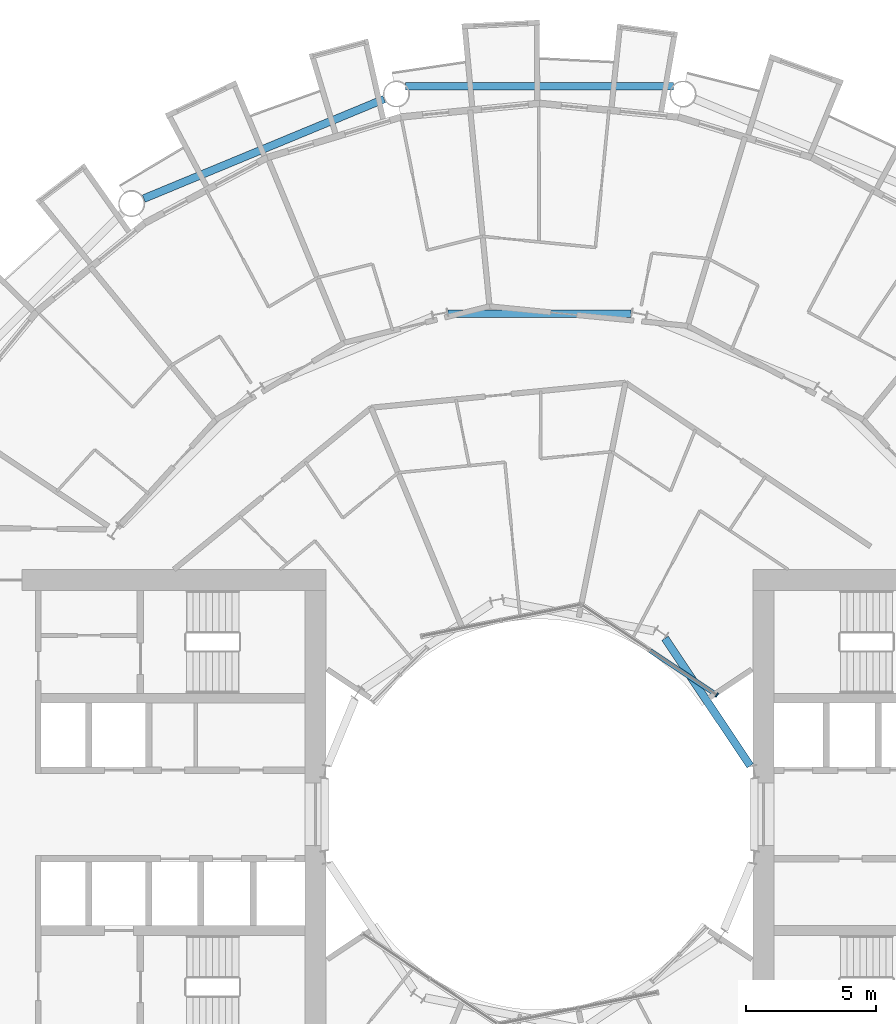
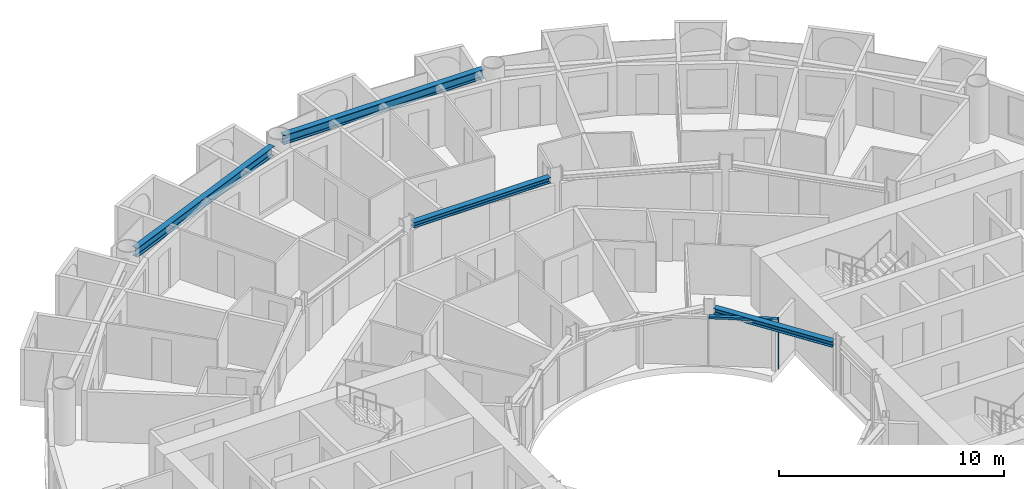
# One storey, part 8 of 26: 4 beams, 2 members, 1 element without a shape of its own.
"""IFC4 building model written with IfcOpenShell, lengths in metres."""

from ifc_helpers import new_model, si_unit, direction, frame, origin, origin_2d, place, context, subcontext, project, spatial, rectangle, i_section, extrude, material, layer, layer_set, material_profile, profile_set, type_object, element, aggregate, save


model = new_model("IFC4")

# Units and contexts
model_context = context("Model", 3, precision=1e-05, world=origin(), true_north=direction((0.0, 1.0)))
body_context = subcontext(model_context, "Body", "Model", "MODEL_VIEW")
ifc_project = project(units=[si_unit("LENGTHUNIT", "METRE"), si_unit("AREAUNIT", "SQUARE_METRE"), si_unit("VOLUMEUNIT", "CUBIC_METRE"), si_unit("PLANEANGLEUNIT", "RADIAN"), si_unit("MASSUNIT", "GRAM", prefix="KILO")], contexts=[model_context])

# Site, building, storey
site_placement = place(None, origin())
site = spatial("IfcSite", under=ifc_project, at=site_placement, CompositionType="ELEMENT")
building_placement = place(site_placement, origin())
building = spatial("IfcBuilding", under=site, at=building_placement, Name="Maasbend Ring Residences", CompositionType="ELEMENT")
storey_placement = place(building_placement, frame((0.0, 0.0, 22.800048828125)))
storey = spatial("IfcBuildingStorey", under=building, at=storey_placement, Name="L05", CompositionType="ELEMENT", Elevation=22.800048828125)

# Curtain wall, members
ifc_material_1 = material(Name="Aluminium and clear glass", Category="aluminium")
ifc_layer = layer(ifc_material_1, 0.179931640625)
ifc_layer_set = layer_set([ifc_layer], Name="CW-W")
curtain_wall_type = type_object("IfcCurtainWallType", Name="CW-W", PredefinedType="NOTDEFINED", material=ifc_layer_set)
curtain_wall_placement = place(storey_placement, origin())
curtain_wall = element("IfcCurtainWall", 1, at=curtain_wall_placement, inside=storey, type_object=curtain_wall_type, Name="Well curtain wall N1", PredefinedType="NOTDEFINED")
ifc_material_2 = material(Name="Aluminium 6063-T6", Category="aluminium")
ifc_material_profile_1 = material_profile(ifc_material_2, rectangle(XDim=0.179931640625, YDim=0.06005859375, at=origin_2d()), Name="AL 180x60")
ifc_profile_set_1 = profile_set([ifc_material_profile_1], Name="Aluminium 6063-T6")
member_type_1 = type_object("IfcMemberType", Name="CWM-W", PredefinedType="MULLION", material=ifc_profile_set_1)
member_1_placement = place(storey_placement, frame((6.805908203125, 4.580810546875, 0.0), z_axis=(0.0, 0.0, 1.0), x_axis=(-0.55557023302, -0.831469612303, 0.0)))
member_1 = element("IfcMember", 2, at=member_1_placement, type_object=member_type_1, Name="Mullion well face", PredefinedType="MULLION", context=body_context, shape_type="SweptSolid", body=[
    extrude(rectangle(XDim=0.179931640625, YDim=0.06005859375, at=origin_2d()), origin(), (0.0, 0.0, 1.0), 2.699951171875),
])
ifc_material_3 = material(Name="Aluminium 6063-T6", Category="aluminium")
ifc_material_profile_2 = material_profile(ifc_material_3, rectangle(XDim=0.179931640625, YDim=0.1201171875, at=origin_2d()), Name="AL 180x120")
ifc_profile_set_2 = profile_set([ifc_material_profile_2], Name="Aluminium 6063-T6")
member_type_2 = type_object("IfcMemberType", Name="CWT-W", PredefinedType="USERDEFINED", material=ifc_profile_set_2)
member_2_placement = place(storey_placement, frame((6.781005859375, 4.59765625, 2.639892578125), z_axis=(-0.831496422459, 0.555530106689, 0.0), x_axis=(-0.555530106689, -0.831496422459, 0.0)))
member_2 = element("IfcMember", 3, at=member_2_placement, type_object=member_type_2, Name="Transom well face", ObjectType="TRANSOM", PredefinedType="USERDEFINED", context=body_context, shape_type="SweptSolid", body=[
    extrude(rectangle(XDim=0.179931640625, YDim=0.1201171875, at=origin_2d()), origin(), (0.0, 0.0, 1.0), 3.053955078125),
])
aggregate(curtain_wall, [member_1, member_2])

# Beams
ifc_material_4 = material(Name="Steel S355J2", Category="steel")
ifc_material_profile_3 = material_profile(ifc_material_4, i_section(OverallWidth=0.300048828125, OverallDepth=0.300048828125, WebThickness=0.010986328125, FlangeThickness=0.01904296875, FilletRadius=0.027099609375, at=origin_2d()), Name="HEB 300")
ifc_profile_set_3 = profile_set([ifc_material_profile_3], Name="Steel S355J2")
beam_type_1 = type_object("IfcBeamType", Name="Corridor ring beam HEB 300", PredefinedType="BEAM", material=ifc_profile_set_3)
beam_1_placement = place(storey_placement, frame((3.5078125, 19.223388671875, 2.550048828125), z_axis=(-1.0, 0.0, 0.0), x_axis=(0.0, -1.0, 0.0)))
element("IfcBeam", 4, at=beam_1_placement, inside=storey, type_object=beam_type_1, Name="Corridor ring beam", PredefinedType="BEAM", context=body_context, shape_type="SweptSolid", body=[
    extrude(i_section(OverallWidth=0.300048828125, OverallDepth=0.300048828125, WebThickness=0.010986328125, FlangeThickness=0.01904296875, FilletRadius=0.027099609375, at=origin_2d()), origin(), (0.0, 0.0, 1.0), 7.015625),
])
ifc_material_5 = material(Name="Steel S355J2", Category="steel")
ifc_material_profile_4 = material_profile(ifc_material_5, i_section(OverallWidth=0.300048828125, OverallDepth=0.5, WebThickness=0.014404296875, FlangeThickness=0.028076171875, FilletRadius=0.027099609375, at=origin_2d()), Name="HEB 500")
ifc_profile_set_4 = profile_set([ifc_material_profile_4], Name="Steel S355J2")
beam_type_2 = type_object("IfcBeamType", Name="Spandrel ring beam HEB 500", PredefinedType="SPANDREL", material=ifc_profile_set_4)
beam_2_placement = place(storey_placement, frame((5.1435546875, 27.9580078125, 2.449951171875), z_axis=(-1.0, 0.0, 0.0), x_axis=(0.0, -1.0, 0.0)))
element("IfcBeam", 5, at=beam_2_placement, inside=storey, type_object=beam_type_2, Name="Spandrel ring beam", PredefinedType="SPANDREL", context=body_context, shape_type="SweptSolid", body=[
    extrude(i_section(OverallWidth=0.300048828125, OverallDepth=0.5, WebThickness=0.014404296875, FlangeThickness=0.028076171875, FilletRadius=0.027099609375, at=origin_2d()), origin(), (0.0, 0.0, 1.0), 10.287109375),
])
beam_3_placement = place(storey_placement, frame((-5.970703125, 27.463623046875, 2.449951171875), z_axis=(-0.923886337442, -0.382667003395, 0.0), x_axis=(0.382667003395, -0.923886337442, 0.0)))
element("IfcBeam", 6, at=beam_3_placement, inside=storey, type_object=beam_type_2, Name="Spandrel ring beam", PredefinedType="SPANDREL", context=body_context, shape_type="SweptSolid", body=[
    extrude(i_section(OverallWidth=0.300048828125, OverallDepth=0.5, WebThickness=0.014404296875, FlangeThickness=0.028076171875, FilletRadius=0.027099609375, at=origin_2d()), origin(), (0.0, 0.0, 1.0), 9.9873046875),
])
ifc_material_6 = material(Name="Steel S355J2", Category="steel")
ifc_material_profile_5 = material_profile(ifc_material_6, i_section(OverallWidth=0.300048828125, OverallDepth=0.300048828125, WebThickness=0.010986328125, FlangeThickness=0.01904296875, FilletRadius=0.027099609375, at=origin_2d()), Name="HEB 300")
ifc_profile_set_5 = profile_set([ifc_material_profile_5], Name="Steel S355J2")
beam_type_3 = type_object("IfcBeamType", Name="Well edge beam HEB 300", PredefinedType="BEAM", material=ifc_profile_set_5)
beam_4_placement = place(storey_placement, frame((8.08837890625, 1.86376953125, 2.550048828125), z_axis=(-0.555589782054, 0.831456549723, 0.0), x_axis=(-0.831456549723, -0.555589782054, 0.0)))
element("IfcBeam", 7, at=beam_4_placement, inside=storey, type_object=beam_type_3, Name="Well edge beam", PredefinedType="BEAM", context=body_context, shape_type="SweptSolid", body=[
    extrude(i_section(OverallWidth=0.300048828125, OverallDepth=0.300048828125, WebThickness=0.010986328125, FlangeThickness=0.01904296875, FilletRadius=0.027099609375, at=origin_2d()), origin(), (0.0, 0.0, 1.0), 5.887939453125),
])

save(model, "model.ifc")
